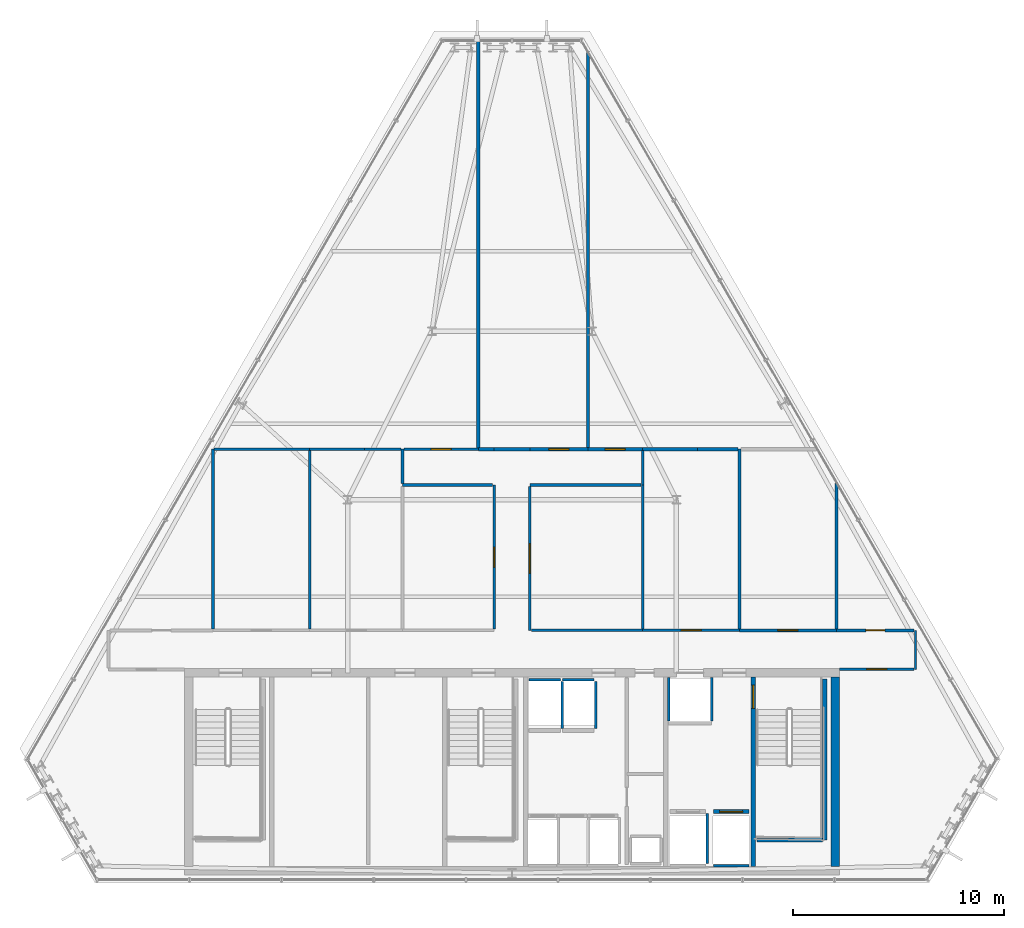
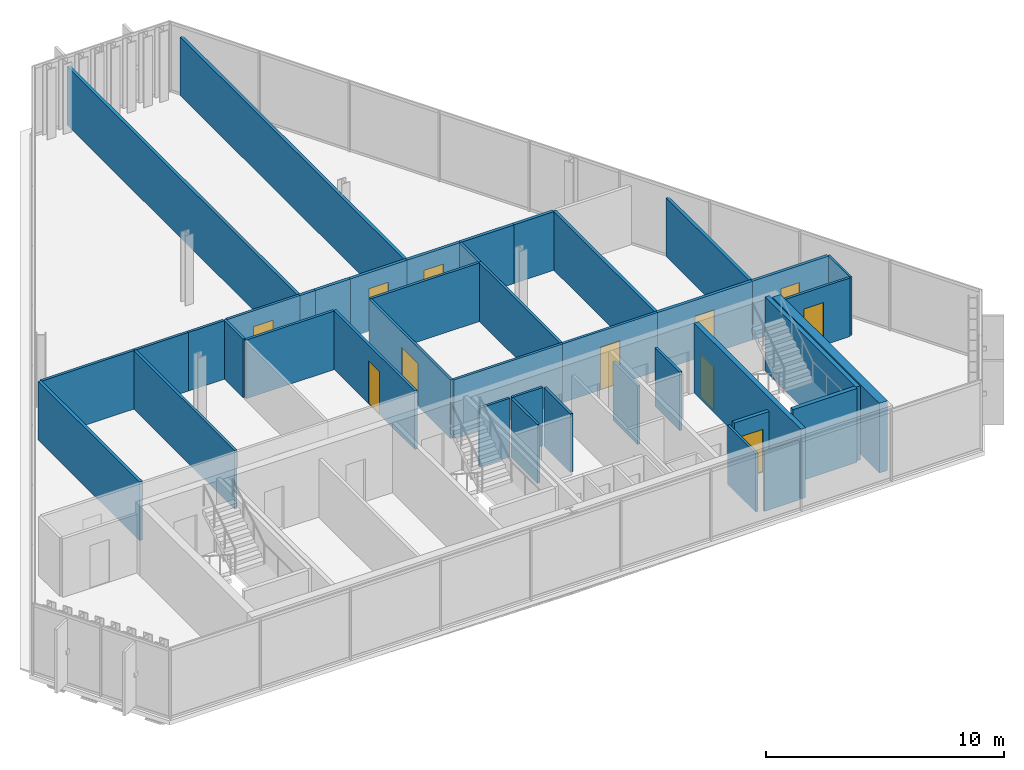
# One storey, part 25 of 29: 42 walls, 11 doors, 11 openings.
"""IFC4 building model written with IfcOpenShell, lengths in metres."""

import ifcopenshell
import ifcopenshell.guid

model = None  # the IFC model being written
_history = None  # IfcOwnerHistory: only IFC2X3 demands one
_inside = {}  # id of a spatial element -> (the spatial element, [elements in it])
_under = {}  # id of a project, library or spatial element -> (it, [spatial elements below it])
_declared = {}  # id of a project -> (the project, [libraries it declares])
_typed = {}  # id of a type object -> (the type object, [elements of that type])
_made_of = {}  # id of a material, layer set ... -> (it, [elements and type objects made of it])


def new_model(schema):
    """Start an empty IFC model of exactly this schema.

    Asked for "IFC4X3", IfcOpenShell would pick the latest addendum, in which some entities
    have other attributes; the version numbers below select the first issue.
    IFC2X3 requires an IfcOwnerHistory on every rooted entity: one is made here for all.
    """
    global model, _history
    if schema == "IFC4X3":
        model = ifcopenshell.file(schema_version=(4, 3, 0, 0))
    else:
        model = ifcopenshell.file(schema=schema)
    _inside.clear()
    _under.clear()
    _declared.clear()
    _typed.clear()
    _made_of.clear()
    _history = None
    if model.schema == "IFC2X3":
        org = make("IfcOrganization", Name="unknown")
        user = make(
            "IfcPersonAndOrganization",
            ThePerson=make("IfcPerson", FamilyName="unknown"),
            TheOrganization=org,
        )
        app = make(
            "IfcApplication",
            ApplicationDeveloper=org,
            Version="unknown",
            ApplicationFullName="unknown",
            ApplicationIdentifier="unknown",
        )
        _history = make(
            "IfcOwnerHistory",
            OwningUser=user,
            OwningApplication=app,
            ChangeAction="ADDED",
            CreationDate=0,
        )
    return model


def make(cls, **values):
    """One entity of the class cls with the attributes given. An attribute that is None is left unset."""
    return model.create_entity(
        cls, **{name: value for name, value in values.items() if value is not None}
    )


def rooted(cls, **values):
    """An entity with a GlobalId (a new one), such as an element, a storey or a relation."""
    return make(cls, GlobalId=ifcopenshell.guid.new(), OwnerHistory=_history, **values)


def si_unit(unit_type, name, prefix=None):
    """IfcSIUnit, for example si_unit("LENGTHUNIT", "METRE", prefix="MILLI")."""
    return make("IfcSIUnit", UnitType=unit_type, Prefix=prefix, Name=name)


def assignment(units):
    """IfcUnitAssignment: the units of a project."""
    return None if units is None else make("IfcUnitAssignment", Units=units)


def point(xyz):
    """IfcCartesianPoint."""
    return None if xyz is None else make("IfcCartesianPoint", Coordinates=xyz)


def direction(xyz):
    """IfcDirection."""
    return None if xyz is None else make("IfcDirection", DirectionRatios=xyz)


def frame(location, z_axis=None, x_axis=None):
    """IfcAxis2Placement3D, a coordinate frame: its origin and axes. An axis left out is left unset."""
    return make(
        "IfcAxis2Placement3D",
        Location=point(location),
        Axis=direction(z_axis),
        RefDirection=direction(x_axis),
    )


def frame_2d(location, x_axis=None):
    """IfcAxis2Placement2D, a coordinate frame in the plane: its origin and x axis."""
    return make(
        "IfcAxis2Placement2D", Location=point(location), RefDirection=direction(x_axis)
    )


def origin():
    """The frame at (0, 0, 0) with its axes left unset."""
    return frame((0.0, 0.0, 0.0))


def place(relative_to, where):
    """IfcLocalPlacement: puts the frame where relative to a parent placement (None: the world)."""
    return make(
        "IfcLocalPlacement", PlacementRelTo=relative_to, RelativePlacement=where
    )


def context(
    kind, dimensions, precision=None, world=None, true_north=None, identifier=None
):
    """IfcGeometricRepresentationContext, for example the 3D "Model" context."""
    return make(
        "IfcGeometricRepresentationContext",
        ContextIdentifier=identifier,
        ContextType=kind,
        CoordinateSpaceDimension=dimensions,
        Precision=precision,
        WorldCoordinateSystem=world,
        TrueNorth=true_north,
    )


def subcontext(parent, identifier, kind, view, scale=None):
    """IfcGeometricRepresentationSubContext, for example "Body" below "Model"."""
    return make(
        "IfcGeometricRepresentationSubContext",
        ContextIdentifier=identifier,
        ContextType=kind,
        ParentContext=parent,
        TargetScale=scale,
        TargetView=view,
    )


def project(units=None, contexts=None):
    """IfcProject with its units and contexts."""
    return rooted(
        "IfcProject",
        Name="project",
        RepresentationContexts=contexts,
        UnitsInContext=assignment(units),
    )


def spatial(cls, under=None, at=None, **own):
    """A site, building, storey or space (cls), placed at a placement, below another one or the project."""
    s = rooted(cls, ObjectPlacement=at, **own)
    if under is not None:
        _under.setdefault(under.id(), (under, []))[1].append(s)
    return s


def profile(cls, at=None, kind="AREA", **sizes):
    """A parametric profile (cls). Its sizes go by their IFC names, for example OverallWidth=200.0."""
    return make(cls, ProfileType=kind, Position=at, **sizes)


def rectangle(**sizes):
    """IfcRectangleProfileDef."""
    return profile("IfcRectangleProfileDef", **sizes)


def extrude(swept, where, along, depth):
    """IfcExtrudedAreaSolid: the profile swept, set in the frame where, extruded along a direction by depth."""
    return make(
        "IfcExtrudedAreaSolid",
        SweptArea=swept,
        Position=where,
        ExtrudedDirection=direction(along),
        Depth=depth,
    )


def shape(context_of_items, identifier, shape_type, items):
    """IfcShapeRepresentation: the items that make up one representation, for example the "Body"."""
    return make(
        "IfcShapeRepresentation",
        ContextOfItems=context_of_items,
        RepresentationIdentifier=identifier,
        RepresentationType=shape_type,
        Items=items,
    )


def material(Name=None, Category=None):
    """IfcMaterial."""
    return make("IfcMaterial", Name=Name, Category=Category)


def layer(
    of_material, thickness, ventilated=None, Name=None, Category=None, Priority=None
):
    """IfcMaterialLayer: one layer of a wall or slab, of a material (None: an air gap)."""
    return make(
        "IfcMaterialLayer",
        Material=of_material,
        LayerThickness=thickness,
        IsVentilated=ventilated,
        Name=Name,
        Category=Category,
        Priority=Priority,
    )


def layer_set(layers, Name=None):
    """IfcMaterialLayerSet."""
    return make("IfcMaterialLayerSet", MaterialLayers=layers, LayerSetName=Name)


def made_of(thing, what):
    """Note that an element or type object is made of a material, layer set ...; save() writes the relation."""
    if what is not None:
        _made_of.setdefault(what.id(), (what, []))[1].append(thing)
    return thing


def type_object(cls, material=None, **own):
    """A type object (cls), such as IfcWallType, which elements share."""
    return made_of(rooted(cls, **own), material)


def element(
    cls,
    number,
    at=None,
    inside=None,
    cuts=None,
    type_object=None,
    material=None,
    context=None,
    identifier="Body",
    shape_type=None,
    held_by="IfcProductDefinitionShape",
    body=None,
    shapes=None,
    **own,
):
    """One element of the class cls, such as IfcWall. Its Tag is "e" and its number.

    at: its placement. inside: the storey or other place that contains it. cuts: it is an
    opening in that element (IfcRelVoidsElement). A single representation is given by context,
    identifier, shape_type and body (its items); several are given by shapes. held_by: the class
    of the entity that holds the representations. save() writes the other relations.
    """
    e = rooted(cls, Tag="e%d" % number, ObjectPlacement=at, **own)
    if body is not None:
        shapes = [shape(context, identifier, shape_type, body)]
    if shapes is not None:
        e.Representation = make(held_by, Representations=shapes)
    if inside is not None:
        _inside.setdefault(inside.id(), (inside, []))[1].append(e)
    if cuts is not None:
        rooted(
            "IfcRelVoidsElement", RelatingBuildingElement=cuts, RelatedOpeningElement=e
        )
    if type_object is not None:
        _typed.setdefault(type_object.id(), (type_object, []))[1].append(e)
    return made_of(e, material)


def fill(opening, filler):
    """IfcRelFillsElement: the door or window that sits in an opening."""
    return rooted(
        "IfcRelFillsElement",
        RelatingOpeningElement=opening,
        RelatedBuildingElement=filler,
    )


def aggregate(whole, parts):
    """IfcRelAggregates: a whole, such as a stair, and the parts it consists of."""
    return rooted("IfcRelAggregates", RelatingObject=whole, RelatedObjects=parts)


def save(model, path):
    """Write the relations noted so far, then the file.

    IfcRelAggregates (storeys below a building ...), IfcRelContainedInSpatialStructure (elements
    in a storey), IfcRelDefinesByType, IfcRelAssociatesMaterial and IfcRelDeclares: one each for
    every whole, place, type object, material and project.
    """
    for whole, parts in _under.values():
        aggregate(whole, parts)
    for where, things in _inside.values():
        rooted(
            "IfcRelContainedInSpatialStructure",
            RelatedElements=things,
            RelatingStructure=where,
        )
    for kind, things in _typed.values():
        rooted("IfcRelDefinesByType", RelatedObjects=things, RelatingType=kind)
    for what, things in _made_of.values():
        rooted("IfcRelAssociatesMaterial", RelatedObjects=things, RelatingMaterial=what)
    for by, libraries in _declared.values():
        rooted("IfcRelDeclares", RelatingContext=by, RelatedDefinitions=libraries)
    model.write(path)


model = new_model("IFC4")

# Units and contexts
model_context = context("Model", 3, precision=1e-05, world=origin(), true_north=direction((0.0, 1.0)))
body_context = subcontext(model_context, "Body", "Model", "MODEL_VIEW")
ifc_project = project(units=[si_unit("LENGTHUNIT", "METRE"), si_unit("AREAUNIT", "SQUARE_METRE"), si_unit("VOLUMEUNIT", "CUBIC_METRE"), si_unit("PLANEANGLEUNIT", "RADIAN"), si_unit("MASSUNIT", "GRAM", prefix="KILO")], contexts=[model_context])

# Site, building, storey
site_placement = place(None, origin())
site = spatial("IfcSite", under=ifc_project, at=site_placement, CompositionType="ELEMENT")
building_placement = place(site_placement, origin())
building = spatial("IfcBuilding", under=site, at=building_placement, Name="Ndaravel Arena Tower", CompositionType="ELEMENT")
storey_placement = place(building_placement, frame((0.0, 0.0, 240.800048828125)))
storey = spatial("IfcBuildingStorey", under=building, at=storey_placement, Name="L58", CompositionType="ELEMENT", Elevation=240.800048828125)

# Wall, opening, door
ifc_material_1 = material(Name="Concrete C50/60", Category="concrete")
ifc_layer_1 = layer(ifc_material_1, 0.219970703125)
ifc_layer_set_1 = layer_set([ifc_layer_1], Name="Concrete C50/60")
wall_type_1 = type_object("IfcWallType", Name="WALL-CORE-220", PredefinedType="SOLIDWALL", material=ifc_layer_set_1)
wall_1_placement = place(storey_placement, frame((53.449951171875, 5.800048828125, 0.0), z_axis=(0.0, 0.0, 1.0), x_axis=(0.0, 1.0, 0.0)))
wall_1 = element("IfcWall", 1, at=wall_1_placement, inside=storey, type_object=wall_type_1, Name="L58 Core Web Shear Wall 5", PredefinedType="SOLIDWALL", context=body_context, shape_type="SweptSolid", body=[
    extrude(rectangle(XDim=9.0, YDim=0.219970703125, at=frame_2d((4.5, 0.0))), origin(), (0.0, 0.0, 1.0), 3.579833984375),
])
opening_1_placement = place(wall_1_placement, frame((7.5, 0.0, 0.0)))
opening_1 = element("IfcOpeningElement", 2, at=opening_1_placement, cuts=wall_1, Name="Opening FD-01", PredefinedType="OPENING", context=body_context, shape_type="SweptSolid", body=[
    extrude(rectangle(XDim=1.10009765625, YDim=2.199951171875, at=frame_2d((0.550048828125, 1.10009765625))), frame((0.0, 0.10986328125, 0.0), z_axis=(0.0, -1.0, 0.0), x_axis=(1.0, 0.0, 0.0)), (0.0, 0.0, 1.0), 0.219970703125),
])
ifc_material_2 = material(Name="Steel S355", Category="steel")
door_type_1 = type_object("IfcDoorType", Name="DT-01-STAIR-1100", OperationType="SINGLE_SWING_LEFT", PredefinedType="DOOR", material=ifc_material_2)
door_1_placement = place(opening_1_placement, origin())
door_1 = element("IfcDoor", 3, at=door_1_placement, inside=storey, type_object=door_type_1, Name="L58 Firefighting Lobby to ST-3 Door", OperationType="SINGLE_SWING_LEFT", OverallHeight=2.199951171875, OverallWidth=1.10009765625, PredefinedType="DOOR", context=body_context, shape_type="SweptSolid", body=[
    extrude(rectangle(XDim=1.10009765625, YDim=2.199951171875, at=frame_2d((0.550048828125, 1.10009765625))), frame((0.0, 0.02490234375, 0.0), z_axis=(0.0, -1.0, 0.0), x_axis=(1.0, 0.0, 0.0)), (0.0, 0.0, 1.0), 0.050048828125),
])
fill(opening_1, door_1)

# Walls
ifc_material_3 = material(Name="Concrete C50/60", Category="concrete")
ifc_layer_2 = layer(ifc_material_3, 0.39990234375)
ifc_layer_set_2 = layer_set([ifc_layer_2], Name="Concrete C50/60")
wall_type_2 = type_object("IfcWallType", Name="WALL-CORE-400", PredefinedType="SOLIDWALL", material=ifc_layer_set_2)
wall_2_placement = place(storey_placement, frame((57.35009765625, 5.800048828125, 0.0), z_axis=(0.0, 0.0, 1.0), x_axis=(0.0, 1.0, 0.0)))
element("IfcWall", 4, at=wall_2_placement, inside=storey, type_object=wall_type_2, Name="L58 Core East Shear Wall", PredefinedType="SOLIDWALL", context=body_context, shape_type="SweptSolid", body=[
    extrude(rectangle(XDim=9.0, YDim=0.39990234375, at=frame_2d((4.5, 0.0))), origin(), (0.0, 0.0, 1.0), 3.579833984375),
])
ifc_material_4 = material(Name="Timber", Category="wood")
ifc_layer_3 = layer(ifc_material_4, 0.10009765625)
ifc_layer_set_3 = layer_set([ifc_layer_3], Name="Timber")
wall_type_3 = type_object("IfcWallType", Name="WALL-MOVABLE-100", PredefinedType="MOVABLE", material=ifc_layer_set_3)
wall_3_placement = place(storey_placement, frame((61.154052734375, 17.0, 0.0), z_axis=(0.0, 0.0, 1.0), x_axis=(0.0, -1.0, 0.0)))
element("IfcWall", 5, at=wall_3_placement, inside=storey, type_object=wall_type_3, Name="L58 Interior Partition 001", PredefinedType="MOVABLE", context=body_context, shape_type="SweptSolid", body=[
    extrude(rectangle(XDim=1.85009765625, YDim=0.10009765625, at=frame_2d((0.925048828125, 0.0))), origin(), (0.0, 0.0, 1.0), 3.010498046875),
])

# Wall, opening, door
ifc_material_5 = material(Name="Gypsum", Category="gypsum")
ifc_layer_4 = layer(ifc_material_5, 0.125)
ifc_layer_set_4 = layer_set([ifc_layer_4], Name="Gypsum")
wall_type_4 = type_object("IfcWallType", Name="WALL-PART-125", PredefinedType="PARTITIONING", material=ifc_layer_set_4)
wall_4_placement = place(storey_placement, frame((61.089111328125, 15.14990234375, 0.0), z_axis=(0.0, 0.0, 1.0), x_axis=(-1.0, 0.0, 0.0)))
wall_4 = element("IfcWall", 6, at=wall_4_placement, inside=storey, type_object=wall_type_4, Name="L58 Interior Partition 002", PredefinedType="PARTITIONING", context=body_context, shape_type="SweptSolid", body=[
    extrude(rectangle(XDim=3.5390625, YDim=0.125, at=frame_2d((1.76953125, 0.0))), origin(), (0.0, 0.0, 1.0), 3.010498046875),
])
opening_2_placement = place(wall_4_placement, frame((1.29443359375, 0.0, 0.0)))
opening_2 = element("IfcOpeningElement", 7, at=opening_2_placement, cuts=wall_4, Name="Opening ID-01", PredefinedType="OPENING", context=body_context, shape_type="SweptSolid", body=[
    extrude(rectangle(XDim=0.949951171875, YDim=2.199951171875, at=frame_2d((0.47509765625, 1.10009765625))), frame((0.0, 0.0625, 0.0), z_axis=(0.0, -1.0, 0.0), x_axis=(1.0, 0.0, 0.0)), (0.0, 0.0, 1.0), 0.125),
])
ifc_material_6 = material(Name="Timber", Category="wood")
door_type_2 = type_object("IfcDoorType", Name="DT-03-OFFICE-950", OperationType="SINGLE_SWING_LEFT", PredefinedType="DOOR", material=ifc_material_6)
door_2_placement = place(opening_2_placement, origin())
door_2 = element("IfcDoor", 8, at=door_2_placement, inside=storey, type_object=door_type_2, Name="L58 Quiet Reading Library Door", OperationType="SINGLE_SWING_RIGHT", OverallHeight=2.199951171875, OverallWidth=0.949951171875, PredefinedType="DOOR", context=body_context, shape_type="SweptSolid", body=[
    extrude(rectangle(XDim=0.949951171875, YDim=2.199951171875, at=frame_2d((0.47509765625, 1.10009765625))), frame((0.0, 0.02490234375, 0.0), z_axis=(0.0, -1.0, 0.0), x_axis=(1.0, 0.0, 0.0)), (0.0, 0.0, 1.0), 0.050048828125),
])
fill(opening_2, door_2)

wall_5_placement = place(storey_placement, frame((41.14990234375, 17.06494140625, 0.0), z_axis=(0.0, 0.0, 1.0), x_axis=(0.0, 1.0, 0.0)))
wall_5 = element("IfcWall", 9, at=wall_5_placement, inside=storey, type_object=wall_type_4, Name="L58 Interior Partition 009", PredefinedType="PARTITIONING", context=body_context, shape_type="SweptSolid", body=[
    extrude(rectangle(XDim=6.8349609375, YDim=0.125, at=frame_2d((3.41748046875, 0.0))), origin(), (0.0, 0.0, 1.0), 3.010498046875),
])
opening_3_placement = place(wall_5_placement, frame((2.9423828125, 0.0, 0.0)))
opening_3 = element("IfcOpeningElement", 10, at=opening_3_placement, cuts=wall_5, Name="Opening ID-01", PredefinedType="OPENING", context=body_context, shape_type="SweptSolid", body=[
    extrude(rectangle(XDim=0.949951171875, YDim=2.199951171875, at=frame_2d((0.47509765625, 1.10009765625))), frame((0.0, 0.0625, 0.0), z_axis=(0.0, -1.0, 0.0), x_axis=(1.0, 0.0, 0.0)), (0.0, 0.0, 1.0), 0.125),
])
door_3_placement = place(opening_3_placement, origin())
door_3 = element("IfcDoor", 11, at=door_3_placement, inside=storey, type_object=door_type_2, Name="L58 Open Plan Workplace Door", OperationType="SINGLE_SWING_LEFT", OverallHeight=2.199951171875, OverallWidth=0.949951171875, PredefinedType="DOOR", context=body_context, shape_type="SweptSolid", body=[
    extrude(rectangle(XDim=0.949951171875, YDim=2.199951171875, at=frame_2d((0.47509765625, 1.10009765625))), frame((0.0, 0.02490234375, 0.0), z_axis=(0.0, -1.0, 0.0), x_axis=(1.0, 0.0, 0.0)), (0.0, 0.0, 1.0), 0.050048828125),
])
fill(opening_3, door_3)

# Walls
wall_6_placement = place(storey_placement, frame((41.0849609375, 23.89990234375, 0.0), z_axis=(0.0, 0.0, 1.0), x_axis=(-1.0, 0.0, 0.0)))
element("IfcWall", 12, at=wall_6_placement, inside=storey, type_object=wall_type_4, Name="L58 Interior Partition 010", PredefinedType="PARTITIONING", context=body_context, shape_type="SweptSolid", body=[
    extrude(rectangle(XDim=4.284912109375, YDim=0.125, at=frame_2d((2.142578125, 0.0))), origin(), (0.0, 0.0, 1.0), 3.010498046875),
])
wall_7_placement = place(storey_placement, frame((36.800048828125, 23.965087890625, 0.0), z_axis=(0.0, 0.0, 1.0), x_axis=(0.0, 1.0, 0.0)))
element("IfcWall", 13, at=wall_7_placement, inside=storey, type_object=wall_type_4, Name="L58 Interior Partition 011", PredefinedType="PARTITIONING", context=body_context, shape_type="SweptSolid", body=[
    extrude(rectangle(XDim=1.635009765625, YDim=0.125, at=frame_2d((0.8173828125, 0.0))), origin(), (0.0, 0.0, 1.0), 3.010498046875),
])

# Wall, opening, door
wall_8_placement = place(storey_placement, frame((36.864990234375, 25.60009765625, 0.0), z_axis=(0.0, 0.0, 1.0), x_axis=(1.0, 0.0, 0.0)))
wall_8 = element("IfcWall", 14, at=wall_8_placement, inside=storey, type_object=wall_type_4, Name="L58 Interior Partition 012", PredefinedType="PARTITIONING", context=body_context, shape_type="SweptSolid", body=[
    extrude(rectangle(XDim=3.534912109375, YDim=0.125, at=frame_2d((1.767578125, 0.0))), origin(), (0.0, 0.0, 1.0), 3.010498046875),
])
opening_4_placement = place(wall_8_placement, frame((1.29248046875, 0.0, 0.0)))
opening_4 = element("IfcOpeningElement", 15, at=opening_4_placement, cuts=wall_8, Name="Opening ID-01", PredefinedType="OPENING", context=body_context, shape_type="SweptSolid", body=[
    extrude(rectangle(XDim=0.949951171875, YDim=2.199951171875, at=frame_2d((0.47509765625, 1.10009765625))), frame((0.0, 0.0625, 0.0), z_axis=(0.0, -1.0, 0.0), x_axis=(1.0, 0.0, 0.0)), (0.0, 0.0, 1.0), 0.125),
])
door_4_placement = place(opening_4_placement, origin())
door_4 = element("IfcDoor", 16, at=door_4_placement, inside=storey, type_object=door_type_2, Name="L58 Design Workshop 4 Door", OperationType="SINGLE_SWING_RIGHT", OverallHeight=2.199951171875, OverallWidth=0.949951171875, PredefinedType="DOOR", context=body_context, shape_type="SweptSolid", body=[
    extrude(rectangle(XDim=0.949951171875, YDim=2.199951171875, at=frame_2d((0.47509765625, 1.10009765625))), frame((0.0, 0.02490234375, 0.0), z_axis=(0.0, -1.0, 0.0), x_axis=(1.0, 0.0, 0.0)), (0.0, 0.0, 1.0), 0.050048828125),
])
fill(opening_4, door_4)

# Walls
wall_9_placement = place(storey_placement, frame((48.199951171875, 25.534912109375, 0.0), z_axis=(0.0, 0.0, 1.0), x_axis=(0.0, -1.0, 0.0)))
element("IfcWall", 17, at=wall_9_placement, inside=storey, type_object=wall_type_4, Name="L58 Interior Partition 017", PredefinedType="PARTITIONING", context=body_context, shape_type="SweptSolid", body=[
    extrude(rectangle(XDim=1.635009765625, YDim=0.125, at=frame_2d((0.8173828125, 0.0))), origin(), (0.0, 0.0, 1.0), 3.010498046875),
])
wall_10_placement = place(storey_placement, frame((48.135009765625, 23.89990234375, 0.0), z_axis=(0.0, 0.0, 1.0), x_axis=(-1.0, 0.0, 0.0)))
element("IfcWall", 18, at=wall_10_placement, inside=storey, type_object=wall_type_4, Name="L58 Interior Partition 018", PredefinedType="PARTITIONING", context=body_context, shape_type="SweptSolid", body=[
    extrude(rectangle(XDim=5.284912109375, YDim=0.125, at=frame_2d((2.642578125, 0.0))), origin(), (0.0, 0.0, 1.0), 3.010498046875),
])

# Wall, opening, door
wall_11_placement = place(storey_placement, frame((42.85009765625, 23.8349609375, 0.0), z_axis=(0.0, 0.0, 1.0), x_axis=(0.0, -1.0, 0.0)))
wall_11 = element("IfcWall", 19, at=wall_11_placement, inside=storey, type_object=wall_type_4, Name="L58 Interior Partition 019", PredefinedType="PARTITIONING", context=body_context, shape_type="SweptSolid", body=[
    extrude(rectangle(XDim=6.8349609375, YDim=0.125, at=frame_2d((3.41748046875, 0.0))), origin(), (0.0, 0.0, 1.0), 3.010498046875),
])
opening_5_placement = place(wall_11_placement, frame((2.717529296875, 0.0, 0.0)))
opening_5 = element("IfcOpeningElement", 20, at=opening_5_placement, cuts=wall_11, Name="Opening ID-02", PredefinedType="OPENING", context=body_context, shape_type="SweptSolid", body=[
    extrude(rectangle(XDim=1.39990234375, YDim=2.199951171875, at=frame_2d((0.699951171875, 1.10009765625))), frame((0.0, 0.0625, 0.0), z_axis=(0.0, -1.0, 0.0), x_axis=(1.0, 0.0, 0.0)), (0.0, 0.0, 1.0), 0.125),
])
ifc_material_7 = material(Name="Timber", Category="wood")
door_type_3 = type_object("IfcDoorType", Name="DT-04-SUITE-1400", OperationType="DOUBLE_DOOR_SINGLE_SWING", PredefinedType="DOOR", material=ifc_material_7)
door_5_placement = place(opening_5_placement, origin())
door_5 = element("IfcDoor", 21, at=door_5_placement, inside=storey, type_object=door_type_3, Name="L58 Visitor Reception Desk Door", OperationType="SINGLE_SWING_RIGHT", OverallHeight=2.199951171875, OverallWidth=1.39990234375, PredefinedType="DOOR", context=body_context, shape_type="SweptSolid", body=[
    extrude(rectangle(XDim=1.39990234375, YDim=2.199951171875, at=frame_2d((0.699951171875, 1.10009765625))), frame((0.0, 0.02490234375, 0.0), z_axis=(0.0, -1.0, 0.0), x_axis=(1.0, 0.0, 0.0)), (0.0, 0.0, 1.0), 0.050048828125),
])
fill(opening_5, door_5)

# Wall
wall_12_placement = place(storey_placement, frame((42.9150390625, 17.0, 0.0), z_axis=(0.0, 0.0, 1.0), x_axis=(1.0, 0.0, 0.0)))
element("IfcWall", 22, at=wall_12_placement, inside=storey, type_object=wall_type_4, Name="L58 Interior Partition 020", PredefinedType="PARTITIONING", context=body_context, shape_type="SweptSolid", body=[
    extrude(rectangle(XDim=5.284912109375, YDim=0.125, at=frame_2d((2.642578125, 0.0))), origin(), (0.0, 0.0, 1.0), 3.010498046875),
])

# Wall, opening, door
wall_13_placement = place(storey_placement, frame((48.199951171875, 17.0, 0.0), z_axis=(0.0, 0.0, 1.0), x_axis=(1.0, 0.0, 0.0)))
wall_13 = element("IfcWall", 23, at=wall_13_placement, inside=storey, type_object=wall_type_4, Name="L58 Interior Partition 021", PredefinedType="PARTITIONING", context=body_context, shape_type="SweptSolid", body=[
    extrude(rectangle(XDim=4.60009765625, YDim=0.125, at=frame_2d((2.300048828125, 0.0))), origin(), (0.0, 0.0, 1.0), 3.010498046875),
])
opening_6_placement = place(wall_13_placement, frame((1.824951171875, 0.0, 0.0)))
opening_6 = element("IfcOpeningElement", 24, at=opening_6_placement, cuts=wall_13, Name="Opening ID-01", PredefinedType="OPENING", context=body_context, shape_type="SweptSolid", body=[
    extrude(rectangle(XDim=0.949951171875, YDim=2.199951171875, at=frame_2d((0.47509765625, 1.10009765625))), frame((0.0, 0.0625, 0.0), z_axis=(0.0, -1.0, 0.0), x_axis=(1.0, 0.0, 0.0)), (0.0, 0.0, 1.0), 0.125),
])
door_6_placement = place(opening_6_placement, origin())
door_6 = element("IfcDoor", 25, at=door_6_placement, inside=storey, type_object=door_type_2, Name="L58 Media Cinema Room 3 Door", OperationType="SINGLE_SWING_RIGHT", OverallHeight=2.199951171875, OverallWidth=0.949951171875, PredefinedType="DOOR", context=body_context, shape_type="SweptSolid", body=[
    extrude(rectangle(XDim=0.949951171875, YDim=2.199951171875, at=frame_2d((0.47509765625, 1.10009765625))), frame((0.0, 0.02490234375, 0.0), z_axis=(0.0, -1.0, 0.0), x_axis=(1.0, 0.0, 0.0)), (0.0, 0.0, 1.0), 0.050048828125),
])
fill(opening_6, door_6)

# Walls
wall_14_placement = place(storey_placement, frame((48.199951171875, 23.89990234375, 0.0), z_axis=(0.0, 0.0, 1.0), x_axis=(0.0, -1.0, 0.0)))
element("IfcWall", 26, at=wall_14_placement, inside=storey, type_object=wall_type_4, Name="L58 Interior Partition 027", PredefinedType="PARTITIONING", context=body_context, shape_type="SweptSolid", body=[
    extrude(rectangle(XDim=6.8349609375, YDim=0.125, at=frame_2d((3.41748046875, 0.0))), origin(), (0.0, 0.0, 1.0), 3.010498046875),
])
wall_15_placement = place(storey_placement, frame((27.864990234375, 25.60009765625, 0.0), z_axis=(0.0, 0.0, 1.0), x_axis=(1.0, 0.0, 0.0)))
element("IfcWall", 27, at=wall_15_placement, inside=storey, type_object=wall_type_4, Name="L58 Interior Partition 030", PredefinedType="PARTITIONING", context=body_context, shape_type="SweptSolid", body=[
    extrude(rectangle(XDim=4.534912109375, YDim=0.125, at=frame_2d((2.267578125, 0.0))), origin(), (0.0, 0.0, 1.0), 3.010498046875),
])
wall_16_placement = place(storey_placement, frame((32.39990234375, 25.534912109375, 0.0), z_axis=(0.0, 0.0, 1.0), x_axis=(0.0, -1.0, 0.0)))
element("IfcWall", 28, at=wall_16_placement, inside=storey, type_object=wall_type_4, Name="L58 Interior Partition 031", PredefinedType="PARTITIONING", context=body_context, shape_type="SweptSolid", body=[
    extrude(rectangle(XDim=8.469970703125, YDim=0.125, at=frame_2d((4.23486328125, 0.0))), origin(), (0.0, 0.0, 1.0), 3.010498046875),
])
wall_17_placement = place(storey_placement, frame((32.39990234375, 25.60009765625, 0.0), z_axis=(0.0, 0.0, 1.0), x_axis=(1.0, 0.0, 0.0)))
element("IfcWall", 29, at=wall_17_placement, inside=storey, type_object=wall_type_4, Name="L58 Interior Partition 032", PredefinedType="PARTITIONING", context=body_context, shape_type="SweptSolid", body=[
    extrude(rectangle(XDim=2.60009765625, YDim=0.125, at=frame_2d((1.300048828125, 0.0))), origin(), (0.0, 0.0, 1.0), 3.010498046875),
])
wall_18_placement = place(storey_placement, frame((35.0, 25.60009765625, 0.0), z_axis=(0.0, 0.0, 1.0), x_axis=(1.0, 0.0, 0.0)))
element("IfcWall", 30, at=wall_18_placement, inside=storey, type_object=wall_type_4, Name="L58 Interior Partition 033", PredefinedType="PARTITIONING", context=body_context, shape_type="SweptSolid", body=[
    extrude(rectangle(XDim=1.735107421875, YDim=0.125, at=frame_2d((0.86767578125, 0.0))), origin(), (0.0, 0.0, 1.0), 3.010498046875),
])
ifc_material_8 = material(Name="Concrete C40/50", Category="concrete")
ifc_layer_5 = layer(ifc_material_8, 0.1201171875)
ifc_layer_set_5 = layer_set([ifc_layer_5], Name="Concrete C40/50")
wall_type_5 = type_object("IfcWallType", Name="WALL-SHAFT-120", PredefinedType="SOLIDWALL", material=ifc_layer_set_5)
wall_19_placement = place(storey_placement, frame((42.804931640625, 14.659912109375, 0.0), z_axis=(0.0, 0.0, 1.0), x_axis=(1.0, 0.0, 0.0)))
element("IfcWall", 31, at=wall_19_placement, inside=storey, type_object=wall_type_5, Name="L58 PL-OBS1 Shaft Rear Wall", PredefinedType="SOLIDWALL", context=body_context, shape_type="SweptSolid", body=[
    extrude(rectangle(XDim=1.489990234375, YDim=0.1201171875, at=frame_2d((0.7451171875, 0.0))), origin(), (0.0, 0.0, 1.0), 3.010498046875),
])
wall_20_placement = place(storey_placement, frame((44.375, 12.340087890625, 0.0), z_axis=(0.0, 0.0, 1.0), x_axis=(0.0, 1.0, 0.0)))
element("IfcWall", 32, at=wall_20_placement, inside=storey, type_object=wall_type_5, Name="L58 PL-OBS1 Shaft Side R Wall", PredefinedType="SOLIDWALL", context=body_context, shape_type="SweptSolid", body=[
    extrude(rectangle(XDim=2.22998046875, YDim=0.1201171875, at=frame_2d((1.114990234375, 0.0))), origin(), (0.0, 0.0, 1.0), 3.010498046875),
])
wall_21_placement = place(storey_placement, frame((44.405029296875, 14.659912109375, 0.0), z_axis=(0.0, 0.0, 1.0), x_axis=(1.0, 0.0, 0.0)))
element("IfcWall", 33, at=wall_21_placement, inside=storey, type_object=wall_type_5, Name="L58 PL-OBS2 Shaft Rear Wall", PredefinedType="SOLIDWALL", context=body_context, shape_type="SweptSolid", body=[
    extrude(rectangle(XDim=1.489990234375, YDim=0.1201171875, at=frame_2d((0.7451171875, 0.0))), origin(), (0.0, 0.0, 1.0), 3.010498046875),
])
wall_22_placement = place(storey_placement, frame((45.97509765625, 12.340087890625, 0.0), z_axis=(0.0, 0.0, 1.0), x_axis=(0.0, 1.0, 0.0)))
element("IfcWall", 34, at=wall_22_placement, inside=storey, type_object=wall_type_5, Name="L58 PL-OBS2 Shaft Side R Wall", PredefinedType="SOLIDWALL", context=body_context, shape_type="SweptSolid", body=[
    extrude(rectangle(XDim=2.22998046875, YDim=0.1201171875, at=frame_2d((1.114990234375, 0.0))), origin(), (0.0, 0.0, 1.0), 3.010498046875),
])
wall_23_placement = place(storey_placement, frame((51.27490234375, 5.929931640625, 0.0), z_axis=(0.0, 0.0, 1.0), x_axis=(0.0, 1.0, 0.0)))
element("IfcWall", 35, at=wall_23_placement, inside=storey, type_object=wall_type_5, Name="L58 FFL-1 Shaft Side R Wall", PredefinedType="SOLIDWALL", context=body_context, shape_type="SweptSolid", body=[
    extrude(rectangle(XDim=2.380126953125, YDim=0.1201171875, at=frame_2d((1.18994140625, 0.0))), origin(), (0.0, 0.0, 1.0), 3.010498046875),
])
wall_24_placement = place(storey_placement, frame((51.554931640625, 5.840087890625, 0.0), z_axis=(0.0, 0.0, 1.0), x_axis=(1.0, 0.0, 0.0)))
element("IfcWall", 36, at=wall_24_placement, inside=storey, type_object=wall_type_5, Name="L58 FFL-2 Shaft Rear Wall", PredefinedType="SOLIDWALL", context=body_context, shape_type="SweptSolid", body=[
    extrude(rectangle(XDim=1.690185546875, YDim=0.1201171875, at=frame_2d((0.84521484375, 0.0))), origin(), (0.0, 0.0, 1.0), 3.010498046875),
])
for number, where, z_axis, x_axis, name in (
    (37, (49.43994140625, 12.68994140625, 0.0), (0.0, 0.0, 1.0), (0.0, 1.0, 0.0), "L58 SVL-1 Shaft W Wall"),
    (38, (51.47998046875, 12.68994140625, 0.0), (0.0, 0.0, 1.0), (0.0, 1.0, 0.0), "L58 SVL-1 Shaft E Wall"),
):
    element("IfcWall", number, at=place(storey_placement, frame(where, z_axis=z_axis, x_axis=x_axis)), inside=storey, type_object=wall_type_5, Name=name, PredefinedType="SOLIDWALL", context=body_context, shape_type="SweptSolid", body=[
        extrude(rectangle(XDim=2.070068359375, YDim=0.1201171875, at=frame_2d((1.03515625, 0.0))), origin(), (0.0, 0.0, 1.0), 3.010498046875),
    ])
ifc_material_9 = material(Name="Concrete C40/50", Category="concrete")
ifc_layer_6 = layer(ifc_material_9, 0.199951171875)
ifc_layer_set_6 = layer_set([ifc_layer_6], Name="Concrete C40/50")
wall_type_6 = type_object("IfcWallType", Name="WALL-SHAFT-200", PredefinedType="SOLIDWALL", material=ifc_layer_set_6)
wall_25_placement = place(storey_placement, frame((56.840087890625, 14.699951171875, 0.0), z_axis=(0.0, 0.0, 1.0), x_axis=(0.0, -1.0, 0.0)))
element("IfcWall", 39, at=wall_25_placement, inside=storey, type_object=wall_type_6, Name="L58 ST-3 Structural Shaft Wall Right", PredefinedType="SOLIDWALL", context=body_context, shape_type="SweptSolid", body=[
    extrude(rectangle(XDim=7.64990234375, YDim=0.199951171875, at=frame_2d((3.824951171875, 0.0))), origin(), (0.0, 0.0, 1.0), 3.800048828125),
])
wall_26_placement = place(storey_placement, frame((53.6201171875, 7.050048828125, 0.0), z_axis=(0.0, 0.0, 1.0), x_axis=(1.0, 0.0, 0.0)))
element("IfcWall", 40, at=wall_26_placement, inside=storey, type_object=wall_type_6, Name="L58 ST-3 Structural Shaft Wall Far", PredefinedType="SOLIDWALL", context=body_context, shape_type="SweptSolid", body=[
    extrude(rectangle(XDim=3.114990234375, YDim=0.199951171875, at=frame_2d((1.5576171875, 0.0))), origin(), (0.0, 0.0, 1.0), 3.800048828125),
])

# Wall, opening, door
wall_27_placement = place(storey_placement, frame((51.554931640625, 8.39990234375, 0.0), z_axis=(0.0, 0.0, 1.0), x_axis=(1.0, 0.0, 0.0)))
wall_27 = element("IfcWall", 41, at=wall_27_placement, inside=storey, type_object=wall_type_6, Name="L58 FFL-2 Shaft Landing Wall", PredefinedType="SOLIDWALL", context=body_context, shape_type="SweptSolid", body=[
    extrude(rectangle(XDim=1.690185546875, YDim=0.179931640625, at=frame_2d((0.84521484375, 0.0))), origin(), (0.0, 0.0, 1.0), 3.010498046875),
])
opening_7_placement = place(wall_27_placement, frame((0.294921875, 0.0, 0.0)))
opening_7 = element("IfcOpeningElement", 42, at=opening_7_placement, cuts=wall_27, Name="Opening LD-01", PredefinedType="OPENING", context=body_context, shape_type="SweptSolid", body=[
    extrude(rectangle(XDim=1.10009765625, YDim=2.199951171875, at=frame_2d((0.550048828125, 1.10009765625))), frame((0.0, 0.08984375, 0.0), z_axis=(0.0, -1.0, 0.0), x_axis=(1.0, 0.0, 0.0)), (0.0, 0.0, 1.0), 0.179931640625),
])
ifc_material_10 = material(Name="Steel S355", Category="steel")
door_type_4 = type_object("IfcDoorType", Name="DT-06-LIFT-1100", OperationType="SLIDING_TO_LEFT", PredefinedType="DOOR", material=ifc_material_10)
door_7_placement = place(opening_7_placement, origin())
door_7 = element("IfcDoor", 43, at=door_7_placement, inside=storey, type_object=door_type_4, Name="L58 Lift FFL-2 Sliding Landing Door", OperationType="SLIDING_TO_LEFT", OverallHeight=2.199951171875, OverallWidth=1.10009765625, PredefinedType="DOOR", context=body_context, shape_type="SweptSolid", body=[
    extrude(rectangle(XDim=1.10009765625, YDim=2.199951171875, at=frame_2d((0.550048828125, 1.10009765625))), frame((0.0, 0.02490234375, 0.0), z_axis=(0.0, -1.0, 0.0), x_axis=(1.0, 0.0, 0.0)), (0.0, 0.0, 1.0), 0.050048828125),
])
fill(opening_7, door_7)

# Walls
ifc_material_11 = material(Name="Masonry", Category="masonry")
ifc_layer_7 = layer(ifc_material_11, 0.14990234375)
ifc_layer_set_7 = layer_set([ifc_layer_7], Name="Masonry")
wall_type_7 = type_object("IfcWallType", Name="WALL-WET-150", PredefinedType="PARTITIONING", material=ifc_layer_set_7)
wall_28_placement = place(storey_placement, frame((40.39990234375, 25.60009765625, 0.0), z_axis=(0.0, 0.0, 1.0), x_axis=(1.0, 0.0, 0.0)))
element("IfcWall", 44, at=wall_28_placement, inside=storey, type_object=wall_type_7, Name="L58 Interior Partition 013", PredefinedType="PARTITIONING", context=body_context, shape_type="SweptSolid", body=[
    extrude(rectangle(XDim=0.75, YDim=0.14990234375, at=frame_2d((0.375, 0.0))), origin(), (0.0, 0.0, 1.0), 3.010498046875),
])
wall_29_placement = place(storey_placement, frame((41.14990234375, 25.60009765625, 0.0), z_axis=(0.0, 0.0, 1.0), x_axis=(1.0, 0.0, 0.0)))
element("IfcWall", 45, at=wall_29_placement, inside=storey, type_object=wall_type_7, Name="L58 Interior Partition 014", PredefinedType="PARTITIONING", context=body_context, shape_type="SweptSolid", body=[
    extrude(rectangle(XDim=1.7001953125, YDim=0.14990234375, at=frame_2d((0.85009765625, 0.0))), origin(), (0.0, 0.0, 1.0), 3.010498046875),
])

# Wall, opening, door
wall_30_placement = place(storey_placement, frame((42.85009765625, 25.60009765625, 0.0), z_axis=(0.0, 0.0, 1.0), x_axis=(1.0, 0.0, 0.0)))
wall_30 = element("IfcWall", 46, at=wall_30_placement, inside=storey, type_object=wall_type_7, Name="L58 Interior Partition 015", PredefinedType="PARTITIONING", context=body_context, shape_type="SweptSolid", body=[
    extrude(rectangle(XDim=2.75, YDim=0.14990234375, at=frame_2d((1.375, 0.0))), origin(), (0.0, 0.0, 1.0), 3.010498046875),
])
opening_8_placement = place(wall_30_placement, frame((0.89990234375, 0.0, 0.0)))
opening_8 = element("IfcOpeningElement", 47, at=opening_8_placement, cuts=wall_30, Name="Opening FD-03", PredefinedType="OPENING", context=body_context, shape_type="SweptSolid", body=[
    extrude(rectangle(XDim=0.949951171875, YDim=2.199951171875, at=frame_2d((0.47509765625, 1.10009765625))), frame((0.0, 0.074951171875, 0.0), z_axis=(0.0, -1.0, 0.0), x_axis=(1.0, 0.0, 0.0)), (0.0, 0.0, 1.0), 0.14990234375),
])
ifc_material_12 = material(Name="Steel S355", Category="steel")
door_type_5 = type_object("IfcDoorType", Name="DT-11-CORE-950", OperationType="SINGLE_SWING_LEFT", PredefinedType="DOOR", material=ifc_material_12)
door_8_placement = place(opening_8_placement, origin())
door_8 = element("IfcDoor", 48, at=door_8_placement, inside=storey, type_object=door_type_5, Name="L58 Staff Espresso Kitchen 5 Door", OperationType="SINGLE_SWING_LEFT", OverallHeight=2.199951171875, OverallWidth=0.949951171875, PredefinedType="DOOR", context=body_context, shape_type="SweptSolid", body=[
    extrude(rectangle(XDim=0.949951171875, YDim=2.199951171875, at=frame_2d((0.47509765625, 1.10009765625))), frame((0.0, 0.02490234375, 0.0), z_axis=(0.0, -1.0, 0.0), x_axis=(1.0, 0.0, 0.0)), (0.0, 0.0, 1.0), 0.050048828125),
])
fill(opening_8, door_8)

wall_31_placement = place(storey_placement, frame((45.60009765625, 25.60009765625, 0.0), z_axis=(0.0, 0.0, 1.0), x_axis=(1.0, 0.0, 0.0)))
wall_31 = element("IfcWall", 49, at=wall_31_placement, inside=storey, type_object=wall_type_7, Name="L58 Interior Partition 016", PredefinedType="PARTITIONING", context=body_context, shape_type="SweptSolid", body=[
    extrude(rectangle(XDim=2.599853515625, YDim=0.14990234375, at=frame_2d((1.2998046875, 0.0))), origin(), (0.0, 0.0, 1.0), 3.010498046875),
])
opening_9_placement = place(wall_31_placement, frame((0.824951171875, 0.0, 0.0)))
opening_9 = element("IfcOpeningElement", 50, at=opening_9_placement, cuts=wall_31, Name="Opening FD-03", PredefinedType="OPENING", context=body_context, shape_type="SweptSolid", body=[
    extrude(rectangle(XDim=0.949951171875, YDim=2.199951171875, at=frame_2d((0.47509765625, 1.10009765625))), frame((0.0, 0.074951171875, 0.0), z_axis=(0.0, -1.0, 0.0), x_axis=(1.0, 0.0, 0.0)), (0.0, 0.0, 1.0), 0.14990234375),
])
door_9_placement = place(opening_9_placement, origin())
door_9 = element("IfcDoor", 51, at=door_9_placement, inside=storey, type_object=door_type_5, Name="L58 Floor Servery Kitchen 4 Door", OperationType="SINGLE_SWING_LEFT", OverallHeight=2.199951171875, OverallWidth=0.949951171875, PredefinedType="DOOR", context=body_context, shape_type="SweptSolid", body=[
    extrude(rectangle(XDim=0.949951171875, YDim=2.199951171875, at=frame_2d((0.47509765625, 1.10009765625))), frame((0.0, 0.02490234375, 0.0), z_axis=(0.0, -1.0, 0.0), x_axis=(1.0, 0.0, 0.0)), (0.0, 0.0, 1.0), 0.050048828125),
])
fill(opening_9, door_9)

wall_32_placement = place(storey_placement, frame((52.800048828125, 17.0, 0.0), z_axis=(0.0, 0.0, 1.0), x_axis=(1.0, 0.0, 0.0)))
wall_32 = element("IfcWall", 52, at=wall_32_placement, inside=storey, type_object=wall_type_7, Name="L58 Interior Partition 022", PredefinedType="PARTITIONING", context=body_context, shape_type="SweptSolid", body=[
    extrude(rectangle(XDim=4.599853515625, YDim=0.14990234375, at=frame_2d((2.2998046875, 0.0))), origin(), (0.0, 0.0, 1.0), 3.010498046875),
])
opening_10_placement = place(wall_32_placement, frame((1.824951171875, 0.0, 0.0)))
opening_10 = element("IfcOpeningElement", 53, at=opening_10_placement, cuts=wall_32, Name="Opening FD-03", PredefinedType="OPENING", context=body_context, shape_type="SweptSolid", body=[
    extrude(rectangle(XDim=0.949951171875, YDim=2.199951171875, at=frame_2d((0.47509765625, 1.10009765625))), frame((0.0, 0.074951171875, 0.0), z_axis=(0.0, -1.0, 0.0), x_axis=(1.0, 0.0, 0.0)), (0.0, 0.0, 1.0), 0.14990234375),
])
door_10_placement = place(opening_10_placement, origin())
door_10 = element("IfcDoor", 54, at=door_10_placement, inside=storey, type_object=door_type_5, Name="L58 Catering Pantry 2 Door", OperationType="SINGLE_SWING_LEFT", OverallHeight=2.199951171875, OverallWidth=0.949951171875, PredefinedType="DOOR", context=body_context, shape_type="SweptSolid", body=[
    extrude(rectangle(XDim=0.949951171875, YDim=2.199951171875, at=frame_2d((0.47509765625, 1.10009765625))), frame((0.0, 0.02490234375, 0.0), z_axis=(0.0, -1.0, 0.0), x_axis=(1.0, 0.0, 0.0)), (0.0, 0.0, 1.0), 0.050048828125),
])
fill(opening_10, door_10)

wall_33_placement = place(storey_placement, frame((57.39990234375, 17.0, 0.0), z_axis=(0.0, 0.0, 1.0), x_axis=(1.0, 0.0, 0.0)))
wall_33 = element("IfcWall", 55, at=wall_33_placement, inside=storey, type_object=wall_type_7, Name="L58 Interior Partition 023", PredefinedType="PARTITIONING", context=body_context, shape_type="SweptSolid", body=[
    extrude(rectangle(XDim=3.689208984375, YDim=0.14990234375, at=frame_2d((1.8447265625, 0.0))), origin(), (0.0, 0.0, 1.0), 3.010498046875),
])
opening_11_placement = place(wall_33_placement, frame((1.39453125, 0.0, 0.0)))
opening_11 = element("IfcOpeningElement", 56, at=opening_11_placement, cuts=wall_33, Name="Opening WD-01", PredefinedType="OPENING", context=body_context, shape_type="SweptSolid", body=[
    extrude(rectangle(XDim=0.89990234375, YDim=2.14990234375, at=frame_2d((0.449951171875, 1.074951171875))), frame((0.0, 0.074951171875, 0.0), z_axis=(0.0, -1.0, 0.0), x_axis=(1.0, 0.0, 0.0)), (0.0, 0.0, 1.0), 0.14990234375),
])
ifc_material_13 = material(Name="Timber", Category="wood")
door_type_6 = type_object("IfcDoorType", Name="DT-05-WC-900", OperationType="SINGLE_SWING_LEFT", PredefinedType="DOOR", material=ifc_material_13)
door_11_placement = place(opening_11_placement, origin())
door_11 = element("IfcDoor", 57, at=door_11_placement, inside=storey, type_object=door_type_6, Name="L58 Male Staff & Visitor Restroom Door", OperationType="SINGLE_SWING_LEFT", OverallHeight=2.14990234375, OverallWidth=0.89990234375, PredefinedType="DOOR", context=body_context, shape_type="SweptSolid", body=[
    extrude(rectangle(XDim=0.89990234375, YDim=2.14990234375, at=frame_2d((0.449951171875, 1.074951171875))), frame((0.0, 0.02490234375, 0.0), z_axis=(0.0, -1.0, 0.0), x_axis=(1.0, 0.0, 0.0)), (0.0, 0.0, 1.0), 0.050048828125),
])
fill(opening_11, door_11)

# Walls
wall_34_placement = place(storey_placement, frame((57.39990234375, 17.06494140625, 0.0), z_axis=(0.0, 0.0, 1.0), x_axis=(0.0, 1.0, 0.0)))
element("IfcWall", 58, at=wall_34_placement, inside=storey, type_object=wall_type_7, Name="L58 Interior Partition 024", PredefinedType="PARTITIONING", context=body_context, shape_type="SweptSolid", body=[
    extrude(rectangle(XDim=6.97314453125, YDim=0.14990234375, at=frame_2d((3.486572265625, 0.0))), origin(), (0.0, 0.0, 1.0), 3.010498046875),
])
for number, where, z_axis, x_axis, name in (
    (59, (27.800048828125, 25.60009765625, 0.0), (0.0, 0.0, 1.0), (0.0, -1.0, 0.0), "L58 Interior Partition 025"),
    (60, (52.800048828125, 17.06494140625, 0.0), (0.0, 0.0, 1.0), (0.0, 1.0, 0.0), "L58 Interior Partition 028"),
):
    element("IfcWall", number, at=place(storey_placement, frame(where, z_axis=z_axis, x_axis=x_axis)), inside=storey, type_object=wall_type_7, Name=name, PredefinedType="PARTITIONING", context=body_context, shape_type="SweptSolid", body=[
        extrude(rectangle(XDim=8.53515625, YDim=0.14990234375, at=frame_2d((4.267578125, 0.0))), origin(), (0.0, 0.0, 1.0), 3.010498046875),
    ])
wall_35_placement = place(storey_placement, frame((48.199951171875, 25.60009765625, 0.0), z_axis=(0.0, 0.0, 1.0), x_axis=(1.0, 0.0, 0.0)))
element("IfcWall", 61, at=wall_35_placement, inside=storey, type_object=wall_type_7, Name="L58 Interior Partition 034", PredefinedType="PARTITIONING", context=body_context, shape_type="SweptSolid", body=[
    extrude(rectangle(XDim=2.60009765625, YDim=0.14990234375, at=frame_2d((1.300048828125, 0.0))), origin(), (0.0, 0.0, 1.0), 3.010498046875),
])
wall_36_placement = place(storey_placement, frame((50.800048828125, 25.60009765625, 0.0), z_axis=(0.0, 0.0, 1.0), x_axis=(1.0, 0.0, 0.0)))
element("IfcWall", 62, at=wall_36_placement, inside=storey, type_object=wall_type_7, Name="L58 Interior Partition 035", PredefinedType="PARTITIONING", context=body_context, shape_type="SweptSolid", body=[
    extrude(rectangle(XDim=1.93505859375, YDim=0.14990234375, at=frame_2d((0.967529296875, 0.0))), origin(), (0.0, 0.0, 1.0), 3.010498046875),
])
wall_37_placement = place(storey_placement, frame((45.60009765625, 25.6650390625, 0.0), z_axis=(0.0, 0.0, 1.0), x_axis=(0.0, 1.0, 0.0)))
element("IfcWall", 63, at=wall_37_placement, inside=storey, type_object=wall_type_7, Name="L58 Interior Partition 036", PredefinedType="PARTITIONING", context=body_context, shape_type="SweptSolid", body=[
    extrude(rectangle(XDim=18.811279296875, YDim=0.14990234375, at=frame_2d((9.40576171875, 0.0))), origin(), (0.0, 0.0, 1.0), 3.010498046875),
])
wall_38_placement = place(storey_placement, frame((40.39990234375, 44.989501953125, 0.0), z_axis=(0.0, 0.0, 1.0), x_axis=(0.0, -1.0, 0.0)))
element("IfcWall", 64, at=wall_38_placement, inside=storey, type_object=wall_type_7, Name="L58 Interior Partition 037", PredefinedType="PARTITIONING", context=body_context, shape_type="SweptSolid", body=[
    extrude(rectangle(XDim=19.324462890625, YDim=0.14990234375, at=frame_2d((9.662109375, 0.0))), origin(), (0.0, 0.0, 1.0), 3.010498046875),
])

save(model, "model.ifc")
